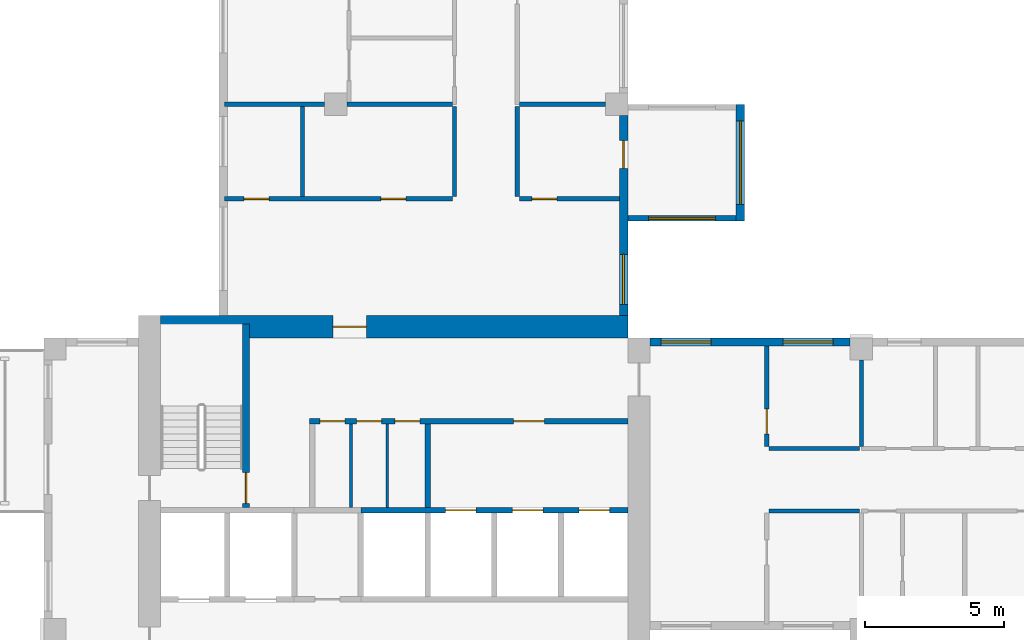
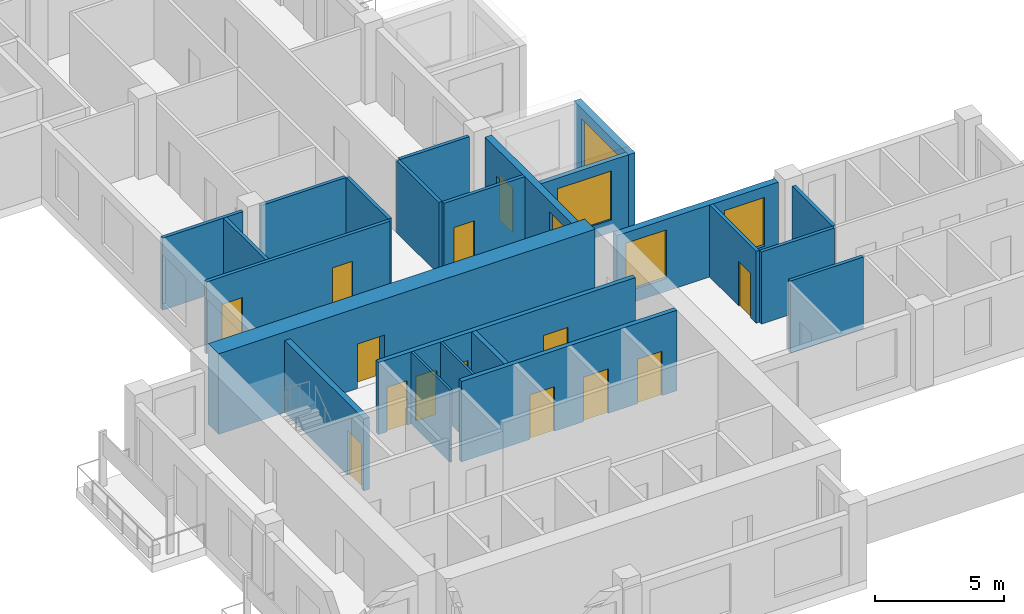
# One storey, part 3 of 11: 23 walls, 14 doors, 5 windows, 19 openings.
"""IFC4 building model written with IfcOpenShell, lengths in metres."""

from ifc_helpers import new_model, si_unit, direction, frame, frame_2d, origin, place, context, subcontext, project, spatial, rectangle, extrude, source, transform, mapped, material, layer, layer_set, type_object, element, fill, save


model = new_model("IFC4")

# Units and contexts
model_context = context("Model", 3, precision=1e-05, world=origin(), true_north=direction((0.0, 1.0)))
body_context = subcontext(model_context, "Body", "Model", "MODEL_VIEW")
ifc_project = project(units=[si_unit("LENGTHUNIT", "METRE"), si_unit("AREAUNIT", "SQUARE_METRE"), si_unit("VOLUMEUNIT", "CUBIC_METRE"), si_unit("PLANEANGLEUNIT", "RADIAN"), si_unit("MASSUNIT", "GRAM", prefix="KILO")], contexts=[model_context])

# Site, building, storey
site_placement = place(None, origin())
site = spatial("IfcSite", under=ifc_project, at=site_placement, CompositionType="ELEMENT")
building_placement = place(site_placement, origin())
building = spatial("IfcBuilding", under=site, at=building_placement, Name="Aurelian Terraces", CompositionType="ELEMENT")
storey_placement = place(building_placement, frame((0.0, 0.0, 261.4)))
storey = spatial("IfcBuildingStorey", under=building, at=storey_placement, Name="L60", CompositionType="ELEMENT", Elevation=261.4)

# Wall, opening, door
ifc_material_1 = material(Name="Concrete fc' 70 MPa", Category="concrete")
ifc_layer_1 = layer(ifc_material_1, 0.8)
ifc_layer_set_1 = layer_set([ifc_layer_1], Name="CORE WALL 800 FC70")
wall_type_1 = type_object("IfcWallType", Name="CORE WALL 800 FC70", PredefinedType="SHEAR", material=ifc_layer_set_1)
shared_shape_1 = source(origin(), body_context, "Body", "SweptSolid", [
    extrude(rectangle(XDim=16.8, YDim=0.8, at=frame_2d((8.4, 0.0))), origin(), (0.0, 0.0, 1.0), 3.8),
])
wall_1_placement = place(storey_placement, frame((4.2, 21.4, 0.0), z_axis=(0.0, 0.0, 1.0), x_axis=(1.0, 0.0, 0.0)))
wall_1 = element("IfcWall", 1, at=wall_1_placement, inside=storey, type_object=wall_type_1, Name="Core wall N L60", PredefinedType="SHEAR", context=body_context, shape_type="MappedRepresentation", body=[
    mapped(shared_shape_1, transform((0.0, 0.0, 0.0), scale=1.0)),
])
shared_shape_2 = source(origin(), body_context, "Body", "SweptSolid", [
    extrude(rectangle(XDim=1.2, YDim=2.1, at=frame_2d((0.6, 1.05))), frame((0.0, 0.41, 0.0), z_axis=(0.0, -1.0, 0.0), x_axis=(1.0, 0.0, 0.0)), (0.0, 0.0, 1.0), 0.82),
])
opening_1_placement = place(wall_1_placement, frame((6.2, 0.0, 0.0)))
opening_1 = element("IfcOpeningElement", 2, at=opening_1_placement, cuts=wall_1, Name="Opening 66324", PredefinedType="OPENING", context=body_context, shape_type="MappedRepresentation", body=[
    mapped(shared_shape_2, transform((0.0, 0.0, 0.0), scale=1.0)),
])
ifc_material_2 = material(Name="Steel door leaf", Category="steel")
door_type_1 = type_object("IfcDoorType", Name="Core fire door 1200x2100", OperationType="SINGLE_SWING_LEFT", PredefinedType="DOOR", material=ifc_material_2)
shared_shape_3 = source(origin(), body_context, "Body", "SweptSolid", [
    extrude(rectangle(XDim=1.2, YDim=2.1, at=frame_2d((0.6, 1.05))), frame((0.0, 0.025, 0.0), z_axis=(0.0, -1.0, 0.0), x_axis=(1.0, 0.0, 0.0)), (0.0, 0.0, 1.0), 0.05),
])
door_1_placement = place(opening_1_placement, origin())
door_1 = element("IfcDoor", 3, at=door_1_placement, inside=storey, type_object=door_type_1, Name="Core door 66324", OperationType="SINGLE_SWING_LEFT", OverallHeight=2.1, OverallWidth=1.2, PredefinedType="DOOR", context=body_context, shape_type="MappedRepresentation", body=[
    mapped(shared_shape_3, transform((0.0, 0.0, 0.0), scale=1.0)),
])
fill(opening_1, door_1)

# Wall, opening, window
ifc_material_3 = material(Name="Concrete fc' 40 MPa", Category="concrete")
ifc_layer_2 = layer(ifc_material_3, 0.2)
ifc_layer_set_2 = layer_set([ifc_layer_2], Name="BOX BEARING WALL 200")
wall_type_2 = type_object("IfcWallType", Name="BOX BEARING WALL 200", PredefinedType="SOLIDWALL", material=ifc_layer_set_2)
shared_shape_4 = source(origin(), body_context, "Body", "SweptSolid", [
    extrude(rectangle(XDim=3.9, YDim=0.2, at=frame_2d((1.95, 0.0))), origin(), (0.0, 0.0, 1.0), 3.4),
])
wall_2_placement = place(storey_placement, frame((21.0, 25.3, 0.0), z_axis=(0.0, 0.0, 1.0), x_axis=(1.0, 0.0, 0.0)))
wall_2 = element("IfcWall", 4, at=wall_2_placement, inside=storey, type_object=wall_type_2, Name="Box return L60 J86.1", PredefinedType="SOLIDWALL", context=body_context, shape_type="MappedRepresentation", body=[
    mapped(shared_shape_4, transform((0.0, 0.0, 0.0), scale=1.0)),
])
shared_shape_5 = source(origin(), body_context, "Body", "SweptSolid", [
    extrude(rectangle(XDim=2.4, YDim=2.3, at=frame_2d((1.2, 1.15))), frame((0.0, 0.11, 0.0), z_axis=(0.0, -1.0, 0.0), x_axis=(1.0, 0.0, 0.0)), (0.0, 0.0, 1.0), 0.22),
])
opening_2_placement = place(wall_2_placement, frame((0.75, 0.0, 0.6)))
opening_2 = element("IfcOpeningElement", 5, at=opening_2_placement, cuts=wall_2, Name="Opening W2423", PredefinedType="OPENING", context=body_context, shape_type="MappedRepresentation", body=[
    mapped(shared_shape_5, transform((0.0, 0.0, 0.0), scale=1.0)),
])
ifc_material_4 = material(Name="Clear glazing", Category="glass")
window_type_1 = type_object("IfcWindowType", Name="W-2400x2300", PartitioningType="SINGLE_PANEL", PredefinedType="WINDOW", material=ifc_material_4)
shared_shape_6 = source(origin(), body_context, "Body", "SweptSolid", [
    extrude(rectangle(XDim=2.4, YDim=2.3, at=frame_2d((1.2, 1.15))), frame((0.0, 0.03, 0.0), z_axis=(0.0, -1.0, 0.0), x_axis=(1.0, 0.0, 0.0)), (0.0, 0.0, 1.0), 0.06),
])
window_1_placement = place(opening_2_placement, origin())
window_1 = element("IfcWindow", 6, at=window_1_placement, inside=storey, type_object=window_type_1, Name="Window L60 J86-S1", OverallHeight=2.3, OverallWidth=2.4, PartitioningType="SINGLE_PANEL", PredefinedType="WINDOW", context=body_context, shape_type="MappedRepresentation", body=[
    mapped(shared_shape_6, transform((0.0, 0.0, 0.0), scale=1.0)),
])
fill(opening_2, window_1)

ifc_layer_3 = layer(ifc_material_3, 0.3)
ifc_layer_set_3 = layer_set([ifc_layer_3], Name="BOX BEARING WALL 300")
wall_type_3 = type_object("IfcWallType", Name="BOX BEARING WALL 300", PredefinedType="SOLIDWALL", material=ifc_layer_set_3)
shared_shape_7 = source(origin(), body_context, "Body", "SweptSolid", [
    extrude(rectangle(XDim=4.2, YDim=0.3, at=frame_2d((2.1, 0.0))), origin(), (0.0, 0.0, 1.0), 3.4),
])
wall_3_placement = place(storey_placement, frame((25.05, 25.2, 0.0), z_axis=(0.0, 0.0, 1.0), x_axis=(0.0, 1.0, 0.0)))
wall_3 = element("IfcWall", 7, at=wall_3_placement, inside=storey, type_object=wall_type_3, Name="Box wall L60 J86", PredefinedType="SOLIDWALL", context=body_context, shape_type="MappedRepresentation", body=[
    mapped(shared_shape_7, transform((0.0, 0.0, 0.0), scale=1.0)),
])
shared_shape_8 = source(origin(), body_context, "Body", "SweptSolid", [
    extrude(rectangle(XDim=3.0, YDim=2.3, at=frame_2d((1.5, 1.15))), frame((0.0, 0.16, 0.0), z_axis=(0.0, -1.0, 0.0), x_axis=(1.0, 0.0, 0.0)), (0.0, 0.0, 1.0), 0.32),
])
opening_3_placement = place(wall_3_placement, frame((0.6, 0.0, 0.6)))
opening_3 = element("IfcOpeningElement", 8, at=opening_3_placement, cuts=wall_3, Name="Opening W3023", PredefinedType="OPENING", context=body_context, shape_type="MappedRepresentation", body=[
    mapped(shared_shape_8, transform((0.0, 0.0, 0.0), scale=1.0)),
])
window_type_2 = type_object("IfcWindowType", Name="W-3000x2300", PartitioningType="SINGLE_PANEL", PredefinedType="WINDOW", material=ifc_material_4)
shared_shape_9 = source(origin(), body_context, "Body", "SweptSolid", [
    extrude(rectangle(XDim=3.0, YDim=2.3, at=frame_2d((1.5, 1.15))), frame((0.0, 0.03, 0.0), z_axis=(0.0, -1.0, 0.0), x_axis=(1.0, 0.0, 0.0)), (0.0, 0.0, 1.0), 0.06),
])
window_2_placement = place(opening_3_placement, origin())
window_2 = element("IfcWindow", 9, at=window_2_placement, inside=storey, type_object=window_type_2, Name="Window L60 J86-F1", OverallHeight=2.3, OverallWidth=3.0, PartitioningType="SINGLE_PANEL", PredefinedType="WINDOW", context=body_context, shape_type="MappedRepresentation", body=[
    mapped(shared_shape_9, transform((0.0, 0.0, 0.0), scale=1.0)),
])
fill(opening_3, window_2)

# Wall, openings, windows
ifc_material_5 = material(Name="Terracotta rainscreen cladding", Category="masonry")
ifc_layer_4 = layer(ifc_material_5, 0.3)
ifc_layer_set_4 = layer_set([ifc_layer_4], Name="EW-300")
wall_type_4 = type_object("IfcWallType", Name="EW-300", PredefinedType="STANDARD", material=ifc_layer_set_4)
shared_shape_10 = source(origin(), body_context, "Body", "SweptSolid", [
    extrude(rectangle(XDim=7.2, YDim=0.3, at=frame_2d((3.6, 0.0))), origin(), (0.0, 0.0, 1.0), 3.4),
])
wall_4_placement = place(storey_placement, frame((29.0, 20.85, 0.0), z_axis=(0.0, 0.0, 1.0), x_axis=(-1.0, 0.0, 0.0)))
wall_4 = element("IfcWall", 10, at=wall_4_placement, inside=storey, type_object=wall_type_4, Name="External wall L60 F11.19", PredefinedType="STANDARD", context=body_context, shape_type="MappedRepresentation", body=[
    mapped(shared_shape_10, transform((0.0, 0.0, 0.0), scale=1.0)),
])
shared_shape_11 = source(origin(), body_context, "Body", "SweptSolid", [
    extrude(rectangle(XDim=1.8, YDim=2.3, at=frame_2d((0.9, 1.15))), frame((0.0, 0.16, 0.0), z_axis=(0.0, -1.0, 0.0), x_axis=(1.0, 0.0, 0.0)), (0.0, 0.0, 1.0), 0.32),
])
opening_4_placement = place(wall_4_placement, frame((0.6125, 0.0, 0.6)))
opening_4 = element("IfcOpeningElement", 11, at=opening_4_placement, cuts=wall_4, Name="Opening W1823", PredefinedType="OPENING", context=body_context, shape_type="MappedRepresentation", body=[
    mapped(shared_shape_11, transform((0.0, 0.0, 0.0), scale=1.0)),
])
opening_5_placement = place(wall_4_placement, frame((5.0, 0.0, 0.6)))
opening_5 = element("IfcOpeningElement", 12, at=opening_5_placement, cuts=wall_4, Name="Opening W1823", PredefinedType="OPENING", context=body_context, shape_type="MappedRepresentation", body=[
    mapped(shared_shape_11, transform((0.0, 0.0, 0.0), scale=1.0)),
])
window_type_3 = type_object("IfcWindowType", Name="W-1800x2300", PartitioningType="SINGLE_PANEL", PredefinedType="WINDOW", material=ifc_material_4)
shared_shape_12 = source(origin(), body_context, "Body", "SweptSolid", [
    extrude(rectangle(XDim=1.8, YDim=2.3, at=frame_2d((0.9, 1.15))), frame((0.0, 0.03, 0.0), z_axis=(0.0, -1.0, 0.0), x_axis=(1.0, 0.0, 0.0)), (0.0, 0.0, 1.0), 0.06),
])
window_3_placement = place(opening_4_placement, origin())
window_3 = element("IfcWindow", 13, at=window_3_placement, inside=storey, type_object=window_type_3, Name="Window L60 L60-F11-19-0", OverallHeight=2.3, OverallWidth=1.8, PartitioningType="SINGLE_PANEL", PredefinedType="WINDOW", context=body_context, shape_type="MappedRepresentation", body=[
    mapped(shared_shape_12, transform((0.0, 0.0, 0.0), scale=1.0)),
])
fill(opening_4, window_3)
window_4_placement = place(opening_5_placement, origin())
window_4 = element("IfcWindow", 14, at=window_4_placement, inside=storey, type_object=window_type_3, Name="Window L60 L60-F11-19-1", OverallHeight=2.3, OverallWidth=1.8, PartitioningType="SINGLE_PANEL", PredefinedType="WINDOW", context=body_context, shape_type="MappedRepresentation", body=[
    mapped(shared_shape_12, transform((0.0, 0.0, 0.0), scale=1.0)),
])
fill(opening_5, window_4)

# Wall, openings, window, door
wall_5_placement = place(storey_placement, frame((20.85, 21.8, 0.0), z_axis=(0.0, 0.0, 1.0), x_axis=(0.0, 1.0, 0.0)))
wall_5 = element("IfcWall", 15, at=wall_5_placement, inside=storey, type_object=wall_type_4, Name="External wall L60 F12.20", PredefinedType="STANDARD", context=body_context, shape_type="MappedRepresentation", body=[
    mapped(shared_shape_10, transform((0.0, 0.0, 0.0), scale=1.0)),
])
opening_6_placement = place(wall_5_placement, frame((0.4, 0.0, 0.6)))
opening_6 = element("IfcOpeningElement", 16, at=opening_6_placement, cuts=wall_5, Name="Opening W1823", PredefinedType="OPENING", context=body_context, shape_type="MappedRepresentation", body=[
    mapped(shared_shape_11, transform((0.0, 0.0, 0.0), scale=1.0)),
])
shared_shape_13 = source(origin(), body_context, "Body", "SweptSolid", [
    extrude(rectangle(XDim=1.0, YDim=2.1, at=frame_2d((0.5, 1.05))), frame((0.0, 0.16, 0.0), z_axis=(0.0, -1.0, 0.0), x_axis=(1.0, 0.0, 0.0)), (0.0, 0.0, 1.0), 0.32),
])
opening_7_placement = place(wall_5_placement, frame((5.2917, 0.0, 0.0)))
opening_7 = element("IfcOpeningElement", 17, at=opening_7_placement, cuts=wall_5, Name="Opening 860001", PredefinedType="OPENING", context=body_context, shape_type="MappedRepresentation", body=[
    mapped(shared_shape_13, transform((0.0, 0.0, 0.0), scale=1.0)),
])
window_5_placement = place(opening_6_placement, origin())
window_5 = element("IfcWindow", 18, at=window_5_placement, inside=storey, type_object=window_type_3, Name="Window L60 L60-F12-20-0", OverallHeight=2.3, OverallWidth=1.8, PartitioningType="SINGLE_PANEL", PredefinedType="WINDOW", context=body_context, shape_type="MappedRepresentation", body=[
    mapped(shared_shape_12, transform((0.0, 0.0, 0.0), scale=1.0)),
])
fill(opening_6, window_5)
ifc_material_6 = material(Name="Timber door leaf", Category="wood")
door_type_2 = type_object("IfcDoorType", Name="Room door 1000x2100 left", OperationType="SINGLE_SWING_LEFT", PredefinedType="DOOR", material=ifc_material_6)
shared_shape_14 = source(origin(), body_context, "Body", "SweptSolid", [
    extrude(rectangle(XDim=1.0, YDim=2.1, at=frame_2d((0.5, 1.05))), frame((0.0, 0.025, 0.0), z_axis=(0.0, -1.0, 0.0), x_axis=(1.0, 0.0, 0.0)), (0.0, 0.0, 1.0), 0.05),
])
door_2_placement = place(opening_7_placement, origin())
door_2 = element("IfcDoor", 19, at=door_2_placement, inside=storey, type_object=door_type_2, Name="Door 860001", OperationType="SINGLE_SWING_LEFT", OverallHeight=2.1, OverallWidth=1.0, PredefinedType="DOOR", context=body_context, shape_type="MappedRepresentation", body=[
    mapped(shared_shape_14, transform((0.0, 0.0, 0.0), scale=1.0)),
])
fill(opening_7, door_2)

# Wall, openings, doors
ifc_layer_5 = layer(ifc_material_3, 0.2)
ifc_layer_set_5 = layer_set([ifc_layer_5], Name="Lift shaft wall 200")
wall_type_5 = type_object("IfcWallType", Name="Lift shaft wall 200", PredefinedType="SOLIDWALL", material=ifc_layer_set_5)
shared_shape_15 = source(origin(), body_context, "Body", "SweptSolid", [
    extrude(rectangle(XDim=9.6, YDim=0.2, at=frame_2d((4.8, 0.0))), origin(), (0.0, 0.0, 1.0), 3.8),
])
wall_6_placement = place(storey_placement, frame((11.4, 14.8, 0.0), z_axis=(0.0, 0.0, 1.0), x_axis=(1.0, 0.0, 0.0)))
wall_6 = element("IfcWall", 20, at=wall_6_placement, inside=storey, type_object=wall_type_5, Name="L60 core wall CF-BB3", PredefinedType="SOLIDWALL", context=body_context, shape_type="MappedRepresentation", body=[
    mapped(shared_shape_15, transform((0.0, 0.0, 0.0), scale=1.0)),
])
shared_shape_16 = source(origin(), body_context, "Body", "SweptSolid", [
    extrude(rectangle(XDim=1.1, YDim=2.1, at=frame_2d((0.55, 1.05))), frame((0.0, 0.11, 0.0), z_axis=(0.0, -1.0, 0.0), x_axis=(1.0, 0.0, 0.0)), (0.0, 0.0, 1.0), 0.22),
])
opening_8_placement = place(wall_6_placement, frame((3.05, 0.0, 0.0)))
opening_8 = element("IfcOpeningElement", 21, at=opening_8_placement, cuts=wall_6, Name="Opening 66309", PredefinedType="OPENING", context=body_context, shape_type="MappedRepresentation", body=[
    mapped(shared_shape_16, transform((0.0, 0.0, 0.0), scale=1.0)),
])
opening_9_placement = place(wall_6_placement, frame((5.45, 0.0, 0.0)))
opening_9 = element("IfcOpeningElement", 22, at=opening_9_placement, cuts=wall_6, Name="Opening 66310", PredefinedType="OPENING", context=body_context, shape_type="MappedRepresentation", body=[
    mapped(shared_shape_16, transform((0.0, 0.0, 0.0), scale=1.0)),
])
opening_10_placement = place(wall_6_placement, frame((7.85, 0.0, 0.0)))
opening_10 = element("IfcOpeningElement", 23, at=opening_10_placement, cuts=wall_6, Name="Opening 66311", PredefinedType="OPENING", context=body_context, shape_type="MappedRepresentation", body=[
    mapped(shared_shape_16, transform((0.0, 0.0, 0.0), scale=1.0)),
])
ifc_material_7 = material(Name="Stainless steel", Category="steel")
door_type_3 = type_object("IfcDoorType", Name="Lift landing door 1100x2100", OperationType="SLIDING_TO_LEFT", PredefinedType="DOOR", material=ifc_material_7)
shared_shape_17 = source(origin(), body_context, "Body", "SweptSolid", [
    extrude(rectangle(XDim=1.1, YDim=2.1, at=frame_2d((0.55, 1.05))), frame((0.0, 0.025, 0.0), z_axis=(0.0, -1.0, 0.0), x_axis=(1.0, 0.0, 0.0)), (0.0, 0.0, 1.0), 0.05),
])
door_3_placement = place(opening_8_placement, origin())
door_3 = element("IfcDoor", 24, at=door_3_placement, inside=storey, type_object=door_type_3, Name="Lift landing door F1 L60", OperationType="SLIDING_TO_LEFT", OverallHeight=2.1, OverallWidth=1.1, PredefinedType="DOOR", context=body_context, shape_type="MappedRepresentation", body=[
    mapped(shared_shape_17, transform((0.0, 0.0, 0.0), scale=1.0)),
])
fill(opening_8, door_3)
door_4_placement = place(opening_9_placement, origin())
door_4 = element("IfcDoor", 25, at=door_4_placement, inside=storey, type_object=door_type_3, Name="Lift landing door F2 L60", OperationType="SLIDING_TO_LEFT", OverallHeight=2.1, OverallWidth=1.1, PredefinedType="DOOR", context=body_context, shape_type="MappedRepresentation", body=[
    mapped(shared_shape_17, transform((0.0, 0.0, 0.0), scale=1.0)),
])
fill(opening_9, door_4)
door_5_placement = place(opening_10_placement, origin())
door_5 = element("IfcDoor", 26, at=door_5_placement, inside=storey, type_object=door_type_3, Name="Lift landing door F3 L60", OperationType="SLIDING_TO_LEFT", OverallHeight=2.1, OverallWidth=1.1, PredefinedType="DOOR", context=body_context, shape_type="MappedRepresentation", body=[
    mapped(shared_shape_17, transform((0.0, 0.0, 0.0), scale=1.0)),
])
fill(opening_10, door_5)

# Walls
ifc_material_8 = material(Name="Gypsum board on steel studs", Category="steel")
ifc_layer_6 = layer(ifc_material_8, 0.2)
ifc_layer_set_6 = layer_set([ifc_layer_6], Name="Core partition 200")
wall_type_6 = type_object("IfcWallType", Name="Core partition 200", PredefinedType="PARTITIONING", material=ifc_layer_set_6)
shared_shape_18 = source(origin(), body_context, "Body", "SweptSolid", [
    extrude(rectangle(XDim=3.0, YDim=0.2, at=frame_2d((1.5, 0.0))), origin(), (0.0, 0.0, 1.0), 3.4),
])
wall_7_placement = place(storey_placement, frame((13.8, 14.9, 0.0), z_axis=(0.0, 0.0, 1.0), x_axis=(0.0, 1.0, 0.0)))
element("IfcWall", 27, at=wall_7_placement, inside=storey, type_object=wall_type_6, Name="L60 core wall CP-FFL", PredefinedType="PARTITIONING", context=body_context, shape_type="MappedRepresentation", body=[
    mapped(shared_shape_18, transform((0.0, 0.0, 0.0), scale=1.0)),
])
ifc_layer_7 = layer(ifc_material_8, 0.1)
ifc_layer_set_7 = layer_set([ifc_layer_7], Name="Core partition 100")
wall_type_7 = type_object("IfcWallType", Name="Core partition 100", PredefinedType="PARTITIONING", material=ifc_layer_set_7)
shared_shape_19 = source(origin(), body_context, "Body", "SweptSolid", [
    extrude(rectangle(XDim=3.0, YDim=0.1, at=frame_2d((1.5, 0.0))), origin(), (0.0, 0.0, 1.0), 3.4),
])
for number, where, z_axis, x_axis, name in (
    (28, (11.05, 14.9, 0.0), (0.0, 0.0, 1.0), (0.0, 1.0, 0.0), "L60 core wall CP-SV1"),
    (29, (12.35, 14.9, 0.0), (0.0, 0.0, 1.0), (0.0, 1.0, 0.0), "L60 core wall CP-SV2"),
):
    element("IfcWall", number, at=place(storey_placement, frame(where, z_axis=z_axis, x_axis=x_axis)), inside=storey, type_object=wall_type_7, Name=name, PredefinedType="PARTITIONING", context=body_context, shape_type="MappedRepresentation", body=[
        mapped(shared_shape_19, transform((0.0, 0.0, 0.0), scale=1.0)),
    ])

# Wall, opening, door
ifc_layer_8 = layer(ifc_material_3, 0.25)
ifc_layer_set_8 = layer_set([ifc_layer_8], Name="Stair enclosure wall 250")
wall_type_8 = type_object("IfcWallType", Name="Stair enclosure wall 250", PredefinedType="SOLIDWALL", material=ifc_layer_set_8)
shared_shape_20 = source(origin(), body_context, "Body", "SweptSolid", [
    extrude(rectangle(XDim=6.6, YDim=0.25, at=frame_2d((3.3, 0.0))), origin(), (0.0, 0.0, 1.0), 3.4),
])
wall_8_placement = place(storey_placement, frame((7.275, 14.9, 0.0), z_axis=(0.0, 0.0, 1.0), x_axis=(0.0, 1.0, 0.0)))
wall_8 = element("IfcWall", 30, at=wall_8_placement, inside=storey, type_object=wall_type_8, Name="L60 core wall ST-S1-E", PredefinedType="SOLIDWALL", context=body_context, shape_type="MappedRepresentation", body=[
    mapped(shared_shape_20, transform((0.0, 0.0, 0.0), scale=1.0)),
])
shared_shape_21 = source(origin(), body_context, "Body", "SweptSolid", [
    extrude(rectangle(XDim=1.1, YDim=2.1, at=frame_2d((0.55, 1.05))), frame((0.0, 0.135, 0.0), z_axis=(0.0, -1.0, 0.0), x_axis=(1.0, 0.0, 0.0)), (0.0, 0.0, 1.0), 0.27),
])
opening_11_placement = place(wall_8_placement, frame((0.15, 0.0, 0.0)))
opening_11 = element("IfcOpeningElement", 31, at=opening_11_placement, cuts=wall_8, Name="Opening 66312", PredefinedType="OPENING", context=body_context, shape_type="MappedRepresentation", body=[
    mapped(shared_shape_21, transform((0.0, 0.0, 0.0), scale=1.0)),
])
door_type_4 = type_object("IfcDoorType", Name="Core fire door 1100x2100 right", OperationType="SINGLE_SWING_RIGHT", PredefinedType="DOOR", material=ifc_material_2)
door_6_placement = place(opening_11_placement, origin())
door_6 = element("IfcDoor", 32, at=door_6_placement, inside=storey, type_object=door_type_4, Name="Stair door 66312", OperationType="SINGLE_SWING_RIGHT", OverallHeight=2.1, OverallWidth=1.1, PredefinedType="DOOR", context=body_context, shape_type="MappedRepresentation", body=[
    mapped(shared_shape_17, transform((0.0, 0.0, 0.0), scale=1.0)),
])
fill(opening_11, door_6)

# Wall, openings, doors
shared_shape_22 = source(origin(), body_context, "Body", "SweptSolid", [
    extrude(rectangle(XDim=11.45, YDim=0.2, at=frame_2d((5.725, 0.0))), origin(), (0.0, 0.0, 1.0), 3.4),
])
wall_9_placement = place(storey_placement, frame((9.55, 18.0, 0.0), z_axis=(0.0, 0.0, 1.0), x_axis=(1.0, 0.0, 0.0)))
wall_9 = element("IfcWall", 33, at=wall_9_placement, inside=storey, type_object=wall_type_6, Name="L60 core wall CP-NORTH", PredefinedType="PARTITIONING", context=body_context, shape_type="MappedRepresentation", body=[
    mapped(shared_shape_22, transform((0.0, 0.0, 0.0), scale=1.0)),
])
shared_shape_23 = source(origin(), body_context, "Body", "SweptSolid", [
    extrude(rectangle(XDim=0.9, YDim=2.1, at=frame_2d((0.45, 1.05))), frame((0.0, 0.11, 0.0), z_axis=(0.0, -1.0, 0.0), x_axis=(1.0, 0.0, 0.0)), (0.0, 0.0, 1.0), 0.22),
])
opening_12_placement = place(wall_9_placement, frame((0.375, 0.0, 0.0)))
opening_12 = element("IfcOpeningElement", 34, at=opening_12_placement, cuts=wall_9, Name="Opening 66313", PredefinedType="OPENING", context=body_context, shape_type="MappedRepresentation", body=[
    mapped(shared_shape_23, transform((0.0, 0.0, 0.0), scale=1.0)),
])
opening_13_placement = place(wall_9_placement, frame((1.7, 0.0, 0.0)))
opening_13 = element("IfcOpeningElement", 35, at=opening_13_placement, cuts=wall_9, Name="Opening 66314", PredefinedType="OPENING", context=body_context, shape_type="MappedRepresentation", body=[
    mapped(shared_shape_23, transform((0.0, 0.0, 0.0), scale=1.0)),
])
opening_14_placement = place(wall_9_placement, frame((3.075, 0.0, 0.0)))
opening_14 = element("IfcOpeningElement", 36, at=opening_14_placement, cuts=wall_9, Name="Opening 66315", PredefinedType="OPENING", context=body_context, shape_type="MappedRepresentation", body=[
    mapped(shared_shape_23, transform((0.0, 0.0, 0.0), scale=1.0)),
])
opening_15_placement = place(wall_9_placement, frame((7.35, 0.0, 0.0)))
opening_15 = element("IfcOpeningElement", 37, at=opening_15_placement, cuts=wall_9, Name="Opening 66316", PredefinedType="OPENING", context=body_context, shape_type="MappedRepresentation", body=[
    mapped(shared_shape_16, transform((0.0, 0.0, 0.0), scale=1.0)),
])
door_type_5 = type_object("IfcDoorType", Name="Core riser door 900x2100", OperationType="SINGLE_SWING_LEFT", PredefinedType="DOOR", material=ifc_material_2)
shared_shape_24 = source(origin(), body_context, "Body", "SweptSolid", [
    extrude(rectangle(XDim=0.9, YDim=2.1, at=frame_2d((0.45, 1.05))), frame((0.0, 0.025, 0.0), z_axis=(0.0, -1.0, 0.0), x_axis=(1.0, 0.0, 0.0)), (0.0, 0.0, 1.0), 0.05),
])
door_7_placement = place(opening_12_placement, origin())
door_7 = element("IfcDoor", 38, at=door_7_placement, inside=storey, type_object=door_type_5, Name="Room door 66313", OperationType="SINGLE_SWING_LEFT", OverallHeight=2.1, OverallWidth=0.9, PredefinedType="DOOR", context=body_context, shape_type="MappedRepresentation", body=[
    mapped(shared_shape_24, transform((0.0, 0.0, 0.0), scale=1.0)),
])
fill(opening_12, door_7)
door_type_6 = type_object("IfcDoorType", Name="Core service door 900x2100 right", OperationType="SINGLE_SWING_RIGHT", PredefinedType="DOOR", material=ifc_material_2)
door_8_placement = place(opening_13_placement, origin())
door_8 = element("IfcDoor", 39, at=door_8_placement, inside=storey, type_object=door_type_6, Name="Room door 66314", OperationType="SINGLE_SWING_RIGHT", OverallHeight=2.1, OverallWidth=0.9, PredefinedType="DOOR", context=body_context, shape_type="MappedRepresentation", body=[
    mapped(shared_shape_24, transform((0.0, 0.0, 0.0), scale=1.0)),
])
fill(opening_13, door_8)
door_type_7 = type_object("IfcDoorType", Name="Core service door 900x2100", OperationType="SINGLE_SWING_LEFT", PredefinedType="DOOR", material=ifc_material_2)
door_9_placement = place(opening_14_placement, origin())
door_9 = element("IfcDoor", 40, at=door_9_placement, inside=storey, type_object=door_type_7, Name="Room door 66315", OperationType="SINGLE_SWING_LEFT", OverallHeight=2.1, OverallWidth=0.9, PredefinedType="DOOR", context=body_context, shape_type="MappedRepresentation", body=[
    mapped(shared_shape_24, transform((0.0, 0.0, 0.0), scale=1.0)),
])
fill(opening_14, door_9)
door_10_placement = place(opening_15_placement, origin())
door_10 = element("IfcDoor", 41, at=door_10_placement, inside=storey, type_object=door_type_4, Name="Ff lobby door 66316", OperationType="SINGLE_SWING_RIGHT", OverallHeight=2.1, OverallWidth=1.1, PredefinedType="DOOR", context=body_context, shape_type="MappedRepresentation", body=[
    mapped(shared_shape_17, transform((0.0, 0.0, 0.0), scale=1.0)),
])
fill(opening_15, door_10)

# Wall, opening, door
ifc_layer_9 = layer(ifc_material_8, 0.15)
ifc_layer_set_9 = layer_set([ifc_layer_9], Name="Partition 150")
wall_type_9 = type_object("IfcWallType", Name="Partition 150", PredefinedType="PARTITIONING", material=ifc_layer_set_9)
shared_shape_25 = source(origin(), body_context, "Body", "SweptSolid", [
    extrude(rectangle(XDim=3.6, YDim=0.15, at=frame_2d((1.8, 0.0))), origin(), (0.0, 0.0, 1.0), 3.4),
])
wall_10_placement = place(storey_placement, frame((26.0, 20.7, 0.0), z_axis=(0.0, 0.0, 1.0), x_axis=(0.0, -1.0, 0.0)))
wall_10 = element("IfcWall", 42, at=wall_10_placement, inside=storey, type_object=wall_type_9, Name="Partition", PredefinedType="PARTITIONING", context=body_context, shape_type="MappedRepresentation", body=[
    mapped(shared_shape_25, transform((0.0, 0.0, 0.0), scale=1.0)),
])
shared_shape_26 = source(origin(), body_context, "Body", "SweptSolid", [
    extrude(rectangle(XDim=0.9, YDim=2.1, at=frame_2d((0.45, 1.05))), frame((0.0, 0.085, 0.0), z_axis=(0.0, -1.0, 0.0), x_axis=(1.0, 0.0, 0.0)), (0.0, 0.0, 1.0), 0.17),
])
opening_16_placement = place(wall_10_placement, frame((2.25, 0.0, 0.0)))
opening_16 = element("IfcOpeningElement", 43, at=opening_16_placement, cuts=wall_10, Name="Opening 760002", PredefinedType="OPENING", context=body_context, shape_type="MappedRepresentation", body=[
    mapped(shared_shape_26, transform((0.0, 0.0, 0.0), scale=1.0)),
])
door_type_8 = type_object("IfcDoorType", Name="Room door 900x2100 right", OperationType="SINGLE_SWING_RIGHT", PredefinedType="DOOR", material=ifc_material_6)
door_11_placement = place(opening_16_placement, origin())
door_11 = element("IfcDoor", 44, at=door_11_placement, inside=storey, type_object=door_type_8, Name="Door 760002", OperationType="SINGLE_SWING_RIGHT", OverallHeight=2.1, OverallWidth=0.9, PredefinedType="DOOR", context=body_context, shape_type="MappedRepresentation", body=[
    mapped(shared_shape_24, transform((0.0, 0.0, 0.0), scale=1.0)),
])
fill(opening_16, door_11)

wall_11_placement = place(storey_placement, frame((17.1, 26.0, 0.0), z_axis=(0.0, 0.0, 1.0), x_axis=(1.0, 0.0, 0.0)))
wall_11 = element("IfcWall", 45, at=wall_11_placement, inside=storey, type_object=wall_type_9, Name="Partition", PredefinedType="PARTITIONING", context=body_context, shape_type="MappedRepresentation", body=[
    mapped(shared_shape_25, transform((0.0, 0.0, 0.0), scale=1.0)),
])
opening_17_placement = place(wall_11_placement, frame((0.45, 0.0, 0.0)))
opening_17 = element("IfcOpeningElement", 46, at=opening_17_placement, cuts=wall_11, Name="Opening 760018", PredefinedType="OPENING", context=body_context, shape_type="MappedRepresentation", body=[
    mapped(shared_shape_26, transform((0.0, 0.0, 0.0), scale=1.0)),
])
door_12_placement = place(opening_17_placement, origin())
door_12 = element("IfcDoor", 47, at=door_12_placement, inside=storey, type_object=door_type_8, Name="Door 760018", OperationType="SINGLE_SWING_RIGHT", OverallHeight=2.1, OverallWidth=0.9, PredefinedType="DOOR", context=body_context, shape_type="MappedRepresentation", body=[
    mapped(shared_shape_24, transform((0.0, 0.0, 0.0), scale=1.0)),
])
fill(opening_17, door_12)

# Wall, openings, doors
shared_shape_27 = source(origin(), body_context, "Body", "SweptSolid", [
    extrude(rectangle(XDim=8.195, YDim=0.15, at=frame_2d((4.0975, 0.0))), origin(), (0.0, 0.0, 1.0), 3.4),
])
wall_12_placement = place(storey_placement, frame((6.505, 26.0, 0.0), z_axis=(0.0, 0.0, 1.0), x_axis=(1.0, 0.0, 0.0)))
wall_12 = element("IfcWall", 48, at=wall_12_placement, inside=storey, type_object=wall_type_9, Name="Partition", PredefinedType="PARTITIONING", context=body_context, shape_type="MappedRepresentation", body=[
    mapped(shared_shape_27, transform((0.0, 0.0, 0.0), scale=1.0)),
])
opening_18_placement = place(wall_12_placement, frame((0.695, 0.0, 0.0)))
opening_18 = element("IfcOpeningElement", 49, at=opening_18_placement, cuts=wall_12, Name="Opening 760016", PredefinedType="OPENING", context=body_context, shape_type="MappedRepresentation", body=[
    mapped(shared_shape_26, transform((0.0, 0.0, 0.0), scale=1.0)),
])
opening_19_placement = place(wall_12_placement, frame((5.62, 0.0, 0.0)))
opening_19 = element("IfcOpeningElement", 50, at=opening_19_placement, cuts=wall_12, Name="Opening 760017", PredefinedType="OPENING", context=body_context, shape_type="MappedRepresentation", body=[
    mapped(shared_shape_26, transform((0.0, 0.0, 0.0), scale=1.0)),
])
door_13_placement = place(opening_18_placement, origin())
door_13 = element("IfcDoor", 51, at=door_13_placement, inside=storey, type_object=door_type_8, Name="Door 760016", OperationType="SINGLE_SWING_RIGHT", OverallHeight=2.1, OverallWidth=0.9, PredefinedType="DOOR", context=body_context, shape_type="MappedRepresentation", body=[
    mapped(shared_shape_24, transform((0.0, 0.0, 0.0), scale=1.0)),
])
fill(opening_18, door_13)
door_type_9 = type_object("IfcDoorType", Name="Room door 900x2100 left", OperationType="SINGLE_SWING_LEFT", PredefinedType="DOOR", material=ifc_material_6)
door_14_placement = place(opening_19_placement, origin())
door_14 = element("IfcDoor", 52, at=door_14_placement, inside=storey, type_object=door_type_9, Name="Door 760017", OperationType="SINGLE_SWING_LEFT", OverallHeight=2.1, OverallWidth=0.9, PredefinedType="DOOR", context=body_context, shape_type="MappedRepresentation", body=[
    mapped(shared_shape_24, transform((0.0, 0.0, 0.0), scale=1.0)),
])
fill(opening_19, door_14)

# Walls
shared_shape_28 = source(origin(), body_context, "Body", "SweptSolid", [
    extrude(rectangle(XDim=3.101, YDim=0.15, at=frame_2d((1.5505, 0.0))), origin(), (0.0, 0.0, 1.0), 3.4),
])
for number, where, z_axis, x_axis, name in (
    (53, (29.4, 17.1, 0.0), (0.0, 0.0, 1.0), (0.0, 1.0, 0.0), "Partition"),
    (54, (20.201, 29.4, 0.0), (0.0, 0.0, 1.0), (-1.0, 0.0, 0.0), "Partition"),
):
    element("IfcWall", number, at=place(storey_placement, frame(where, z_axis=z_axis, x_axis=x_axis)), inside=storey, type_object=wall_type_9, Name=name, PredefinedType="PARTITIONING", context=body_context, shape_type="MappedRepresentation", body=[
        mapped(shared_shape_28, transform((0.0, 0.0, 0.0), scale=1.0)),
    ])
shared_shape_29 = source(origin(), body_context, "Body", "SweptSolid", [
    extrude(rectangle(XDim=3.596, YDim=0.15, at=frame_2d((1.798, 0.0))), origin(), (0.0, 0.0, 1.0), 3.4),
])
wall_13_placement = place(storey_placement, frame((10.101, 29.4, 0.0), z_axis=(0.0, 0.0, 1.0), x_axis=(-1.0, 0.0, 0.0)))
element("IfcWall", 55, at=wall_13_placement, inside=storey, type_object=wall_type_9, Name="Partition", PredefinedType="PARTITIONING", context=body_context, shape_type="MappedRepresentation", body=[
    mapped(shared_shape_29, transform((0.0, 0.0, 0.0), scale=1.0)),
])
shared_shape_30 = source(origin(), body_context, "Body", "SweptSolid", [
    extrude(rectangle(XDim=3.801, YDim=0.15, at=frame_2d((1.9005, 0.0))), origin(), (0.0, 0.0, 1.0), 3.4),
])
wall_14_placement = place(storey_placement, frame((14.7, 29.4, 0.0), z_axis=(0.0, 0.0, 1.0), x_axis=(-1.0, 0.0, 0.0)))
element("IfcWall", 56, at=wall_14_placement, inside=storey, type_object=wall_type_9, Name="Partition", PredefinedType="PARTITIONING", context=body_context, shape_type="MappedRepresentation", body=[
    mapped(shared_shape_30, transform((0.0, 0.0, 0.0), scale=1.0)),
])
ifc_layer_10 = layer(ifc_material_8, 0.15)
ifc_layer_set_10 = layer_set([ifc_layer_10], Name="Fire partition 150")
wall_type_10 = type_object("IfcWallType", Name="Fire partition 150", PredefinedType="PARTITIONING", material=ifc_layer_set_10)
shared_shape_31 = source(origin(), body_context, "Body", "SweptSolid", [
    extrude(rectangle(XDim=3.25, YDim=0.15, at=frame_2d((1.625, 0.0))), origin(), (0.0, 0.0, 1.0), 3.4),
])
for number, where, z_axis, x_axis, name in (
    (57, (29.325, 14.775, 0.0), (0.0, 0.0, 1.0), (-1.0, 0.0, 0.0), "Corridor wall"),
    (58, (26.075, 17.025, 0.0), (0.0, 0.0, 1.0), (1.0, 0.0, 0.0), "Corridor wall"),
):
    element("IfcWall", number, at=place(storey_placement, frame(where, z_axis=z_axis, x_axis=x_axis)), inside=storey, type_object=wall_type_10, Name=name, PredefinedType="PARTITIONING", context=body_context, shape_type="MappedRepresentation", body=[
        mapped(shared_shape_31, transform((0.0, 0.0, 0.0), scale=1.0)),
    ])
wall_15_placement = place(storey_placement, frame((9.3, 26.075, 0.0), z_axis=(0.0, 0.0, 1.0), x_axis=(0.0, 1.0, 0.0)))
element("IfcWall", 59, at=wall_15_placement, inside=storey, type_object=wall_type_9, Name="Partition", PredefinedType="PARTITIONING", context=body_context, shape_type="MappedRepresentation", body=[
    mapped(shared_shape_31, transform((0.0, 0.0, 0.0), scale=1.0)),
])
for number, where, z_axis, x_axis, name in (
    (60, (14.775, 26.075, 0.0), (0.0, 0.0, 1.0), (0.0, 1.0, 0.0), "Corridor wall"),
    (61, (17.025, 29.325, 0.0), (0.0, 0.0, 1.0), (0.0, -1.0, 0.0), "Corridor wall"),
):
    element("IfcWall", number, at=place(storey_placement, frame(where, z_axis=z_axis, x_axis=x_axis)), inside=storey, type_object=wall_type_10, Name=name, PredefinedType="PARTITIONING", context=body_context, shape_type="MappedRepresentation", body=[
        mapped(shared_shape_31, transform((0.0, 0.0, 0.0), scale=1.0)),
    ])

save(model, "model.ifc")
